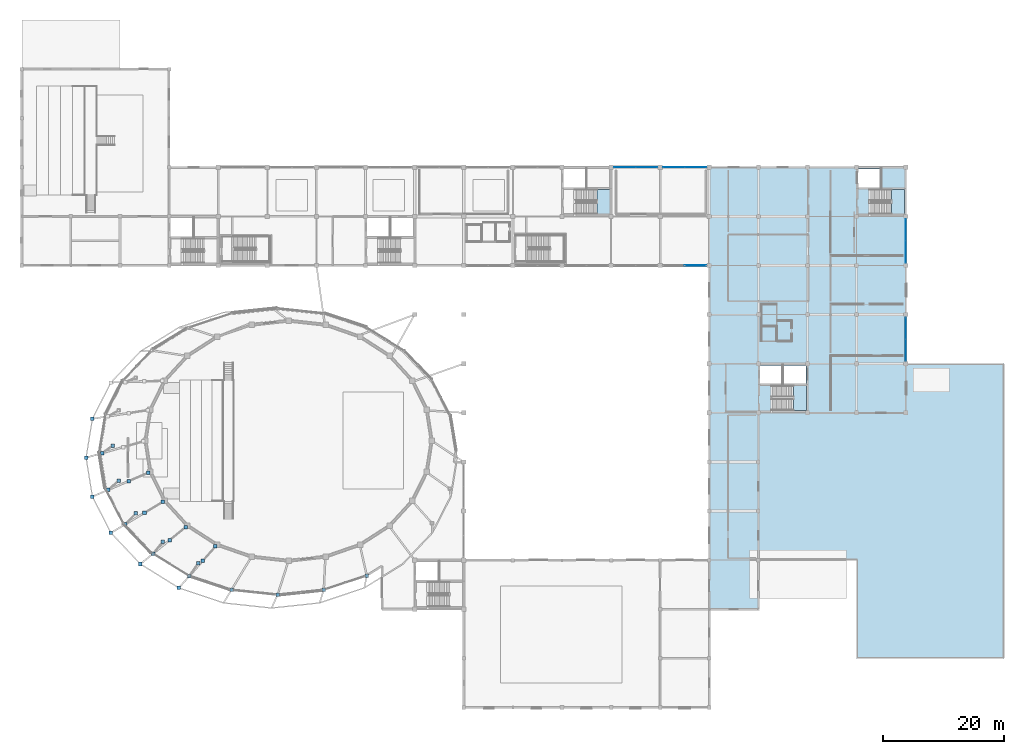
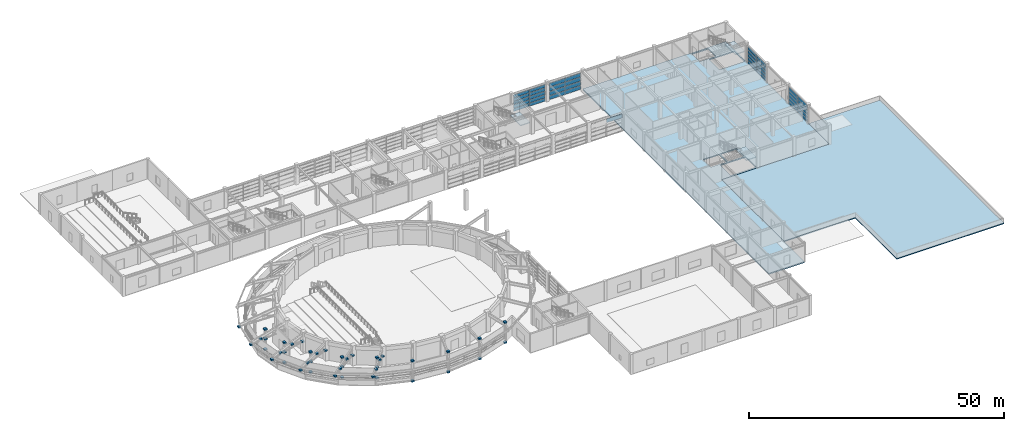
# One storey, part 35 of 56: 81 plates, 5 slabs, 8 elements without a shape of their own.
"""IFC4 building model written with IfcOpenShell, lengths in metres."""

from ifc_helpers import new_model, si_unit, direction, frame, origin, origin_2d, place, context, subcontext, project, spatial, polyline, rectangle, outline, extrude, material, layer, layer_set, type_object, element, aggregate, save


model = new_model("IFC4")

# Units and contexts
model_context = context("Model", 3, precision=1e-05, world=origin(), true_north=direction((0.0, 1.0)))
body_context = subcontext(model_context, "Body", "Model", "MODEL_VIEW")
ifc_project = project(units=[si_unit("LENGTHUNIT", "METRE"), si_unit("AREAUNIT", "SQUARE_METRE"), si_unit("VOLUMEUNIT", "CUBIC_METRE"), si_unit("PLANEANGLEUNIT", "RADIAN"), si_unit("MASSUNIT", "GRAM", prefix="KILO")], contexts=[model_context])

# Site, building, storey
site_placement = place(None, origin())
site = spatial("IfcSite", under=ifc_project, at=site_placement, CompositionType="ELEMENT")
building_placement = place(site_placement, origin())
building = spatial("IfcBuilding", under=site, at=building_placement, Name="Parian Resonance Hall", CompositionType="ELEMENT")
storey_placement = place(building_placement, frame((0.0, 0.0, 5.39990234375)))
storey = spatial("IfcBuildingStorey", under=building, at=storey_placement, Name="L01", CompositionType="ELEMENT", Elevation=5.39990234375)

# Curtain wall, plates
ifc_material_1 = material(Name="Bronze-anodised aluminium frame", Category="aluminium")
curtain_wall_type_1 = type_object("IfcCurtainWallType", Name="CW-SYS-02", PredefinedType="NOTDEFINED", material=ifc_material_1)
curtain_wall_1_placement = place(storey_placement, origin())
curtain_wall_1 = element("IfcCurtainWall", 1, at=curtain_wall_1_placement, inside=storey, type_object=curtain_wall_type_1, Name="Curtain wall CW-L01-144", PredefinedType="NOTDEFINED")
ifc_material_2 = material(Name="Acoustic laminated double glazing", Category="glass")
ifc_layer_1 = layer(ifc_material_2, 0.02197265625)
ifc_layer_set_1 = layer_set([ifc_layer_1], Name="Acoustic laminated double glazing")
plate_type_1 = type_object("IfcPlateType", Name="CWP-IGU22", PredefinedType="CURTAIN_PANEL", material=ifc_layer_set_1)
plate_1_placement = place(storey_placement, frame((145.800048828125, 62.541259765625, 0.067138671875), z_axis=(0.0, 0.0, 1.0), x_axis=(0.0, -1.0, 0.0)))
plate_1 = element("IfcPlate", 2, at=plate_1_placement, type_object=plate_type_1, Name="CW-02 panel 1.1", PredefinedType="CURTAIN_PANEL", context=body_context, shape_type="SweptSolid", body=[
    extrude(rectangle(XDim=3.507568359375, YDim=0.02197265625, at=origin_2d()), origin(), (0.0, 0.0, 1.0), 0.72900390625),
])
plate_2_placement = place(storey_placement, frame((145.800048828125, 62.541259765625, 0.87109375), z_axis=(0.0, 0.0, 1.0), x_axis=(0.0, -1.0, 0.0)))
plate_2 = element("IfcPlate", 3, at=plate_2_placement, type_object=plate_type_1, Name="CW-02 panel 1.2", PredefinedType="CURTAIN_PANEL", context=body_context, shape_type="SweptSolid", body=[
    extrude(rectangle(XDim=3.507568359375, YDim=0.02197265625, at=origin_2d()), origin(), (0.0, 0.0, 1.0), 0.75830078125),
])
plate_3_placement = place(storey_placement, frame((145.800048828125, 62.541259765625, 1.704345703125), z_axis=(0.0, 0.0, 1.0), x_axis=(0.0, -1.0, 0.0)))
plate_3 = element("IfcPlate", 4, at=plate_3_placement, type_object=plate_type_1, Name="CW-02 panel 1.3", PredefinedType="CURTAIN_PANEL", context=body_context, shape_type="SweptSolid", body=[
    extrude(rectangle(XDim=3.507568359375, YDim=0.02197265625, at=origin_2d()), origin(), (0.0, 0.0, 1.0), 0.75830078125),
])
plate_4_placement = place(storey_placement, frame((145.800048828125, 62.541259765625, 2.537841796875), z_axis=(0.0, 0.0, 1.0), x_axis=(0.0, -1.0, 0.0)))
plate_4 = element("IfcPlate", 5, at=plate_4_placement, type_object=plate_type_1, Name="CW-02 panel 1.4", PredefinedType="CURTAIN_PANEL", context=body_context, shape_type="SweptSolid", body=[
    extrude(rectangle(XDim=3.507568359375, YDim=0.02197265625, at=origin_2d()), origin(), (0.0, 0.0, 1.0), 0.75830078125),
])
plate_5_placement = place(storey_placement, frame((145.800048828125, 62.541259765625, 3.37109375), z_axis=(0.0, 0.0, 1.0), x_axis=(0.0, -1.0, 0.0)))
plate_5 = element("IfcPlate", 6, at=plate_5_placement, type_object=plate_type_1, Name="CW-02 panel 1.5", PredefinedType="CURTAIN_PANEL", context=body_context, shape_type="SweptSolid", body=[
    extrude(rectangle(XDim=3.507568359375, YDim=0.02197265625, at=origin_2d()), origin(), (0.0, 0.0, 1.0), 0.73095703125),
])
plate_6_placement = place(storey_placement, frame((145.800048828125, 58.958740234375, 0.067138671875), z_axis=(0.0, 0.0, 1.0), x_axis=(0.0, -1.0, 0.0)))
plate_6 = element("IfcPlate", 7, at=plate_6_placement, type_object=plate_type_1, Name="CW-02 panel 2.1", PredefinedType="CURTAIN_PANEL", context=body_context, shape_type="SweptSolid", body=[
    extrude(rectangle(XDim=3.507568359375, YDim=0.02197265625, at=origin_2d()), origin(), (0.0, 0.0, 1.0), 0.72900390625),
])
plate_7_placement = place(storey_placement, frame((145.800048828125, 58.958740234375, 0.87109375), z_axis=(0.0, 0.0, 1.0), x_axis=(0.0, -1.0, 0.0)))
plate_7 = element("IfcPlate", 8, at=plate_7_placement, type_object=plate_type_1, Name="CW-02 panel 2.2", PredefinedType="CURTAIN_PANEL", context=body_context, shape_type="SweptSolid", body=[
    extrude(rectangle(XDim=3.507568359375, YDim=0.02197265625, at=origin_2d()), origin(), (0.0, 0.0, 1.0), 0.75830078125),
])
plate_8_placement = place(storey_placement, frame((145.800048828125, 58.958740234375, 1.704345703125), z_axis=(0.0, 0.0, 1.0), x_axis=(0.0, -1.0, 0.0)))
plate_8 = element("IfcPlate", 9, at=plate_8_placement, type_object=plate_type_1, Name="CW-02 panel 2.3", PredefinedType="CURTAIN_PANEL", context=body_context, shape_type="SweptSolid", body=[
    extrude(rectangle(XDim=3.507568359375, YDim=0.02197265625, at=origin_2d()), origin(), (0.0, 0.0, 1.0), 0.75830078125),
])
plate_9_placement = place(storey_placement, frame((145.800048828125, 58.958740234375, 2.537841796875), z_axis=(0.0, 0.0, 1.0), x_axis=(0.0, -1.0, 0.0)))
plate_9 = element("IfcPlate", 10, at=plate_9_placement, type_object=plate_type_1, Name="CW-02 panel 2.4", PredefinedType="CURTAIN_PANEL", context=body_context, shape_type="SweptSolid", body=[
    extrude(rectangle(XDim=3.507568359375, YDim=0.02197265625, at=origin_2d()), origin(), (0.0, 0.0, 1.0), 0.75830078125),
])
plate_10_placement = place(storey_placement, frame((145.800048828125, 58.958740234375, 3.37109375), z_axis=(0.0, 0.0, 1.0), x_axis=(0.0, -1.0, 0.0)))
plate_10 = element("IfcPlate", 11, at=plate_10_placement, type_object=plate_type_1, Name="CW-02 panel 2.5", PredefinedType="CURTAIN_PANEL", context=body_context, shape_type="SweptSolid", body=[
    extrude(rectangle(XDim=3.507568359375, YDim=0.02197265625, at=origin_2d()), origin(), (0.0, 0.0, 1.0), 0.73095703125),
])
aggregate(curtain_wall_1, [plate_1, plate_2, plate_3, plate_4, plate_5, plate_6, plate_7, plate_8, plate_9, plate_10])

ifc_material_3 = material(Name="Bronze-anodised aluminium frame", Category="aluminium")
curtain_wall_type_2 = type_object("IfcCurtainWallType", Name="CW-SYS-04", PredefinedType="NOTDEFINED", material=ifc_material_3)
curtain_wall_2_placement = place(storey_placement, origin())
curtain_wall_2 = element("IfcCurtainWall", 12, at=curtain_wall_2_placement, inside=storey, type_object=curtain_wall_type_2, Name="Curtain wall CW-L01-145", PredefinedType="NOTDEFINED")
ifc_material_4 = material(Name="Acoustic laminated double glazing", Category="glass")
ifc_layer_2 = layer(ifc_material_4, 0.031982421875)
ifc_layer_set_2 = layer_set([ifc_layer_2], Name="Acoustic laminated double glazing")
plate_type_2 = type_object("IfcPlateType", Name="CWP-IGU32", PredefinedType="CURTAIN_PANEL", material=ifc_layer_set_2)
plate_11_placement = place(storey_placement, frame((145.800048828125, 78.74365234375, 0.05712890625), z_axis=(0.0, 0.0, 1.0), x_axis=(0.0, -1.0, 0.0)))
plate_11 = element("IfcPlate", 13, at=plate_11_placement, type_object=plate_type_2, Name="CW-04 panel 1.1", PredefinedType="CURTAIN_PANEL", context=body_context, shape_type="SweptSolid", body=[
    extrude(rectangle(XDim=3.5224609375, YDim=0.031982421875, at=origin_2d()), origin(), (0.0, 0.0, 1.0), 0.743896484375),
])
plate_12_placement = place(storey_placement, frame((145.800048828125, 78.74365234375, 0.8662109375), z_axis=(0.0, 0.0, 1.0), x_axis=(0.0, -1.0, 0.0)))
plate_12 = element("IfcPlate", 14, at=plate_12_placement, type_object=plate_type_2, Name="CW-04 panel 1.2", PredefinedType="CURTAIN_PANEL", context=body_context, shape_type="SweptSolid", body=[
    extrude(rectangle(XDim=3.5224609375, YDim=0.031982421875, at=origin_2d()), origin(), (0.0, 0.0, 1.0), 0.768310546875),
])
plate_13_placement = place(storey_placement, frame((145.800048828125, 78.74365234375, 1.69921875), z_axis=(0.0, 0.0, 1.0), x_axis=(0.0, -1.0, 0.0)))
plate_13 = element("IfcPlate", 15, at=plate_13_placement, type_object=plate_type_2, Name="CW-04 panel 1.3", PredefinedType="CURTAIN_PANEL", context=body_context, shape_type="SweptSolid", body=[
    extrude(rectangle(XDim=3.5224609375, YDim=0.031982421875, at=origin_2d()), origin(), (0.0, 0.0, 1.0), 0.768310546875),
])
plate_14_placement = place(storey_placement, frame((145.800048828125, 78.74365234375, 2.53271484375), z_axis=(0.0, 0.0, 1.0), x_axis=(0.0, -1.0, 0.0)))
plate_14 = element("IfcPlate", 16, at=plate_14_placement, type_object=plate_type_2, Name="CW-04 panel 1.4", PredefinedType="CURTAIN_PANEL", context=body_context, shape_type="SweptSolid", body=[
    extrude(rectangle(XDim=3.5224609375, YDim=0.031982421875, at=origin_2d()), origin(), (0.0, 0.0, 1.0), 0.768310546875),
])
plate_15_placement = place(storey_placement, frame((145.800048828125, 78.74365234375, 3.3662109375), z_axis=(0.0, 0.0, 1.0), x_axis=(0.0, -1.0, 0.0)))
plate_15 = element("IfcPlate", 17, at=plate_15_placement, type_object=plate_type_2, Name="CW-04 panel 1.5", PredefinedType="CURTAIN_PANEL", context=body_context, shape_type="SweptSolid", body=[
    extrude(rectangle(XDim=3.5224609375, YDim=0.031982421875, at=origin_2d()), origin(), (0.0, 0.0, 1.0), 0.745849609375),
])
plate_16_placement = place(storey_placement, frame((145.800048828125, 75.15625, 0.05712890625), z_axis=(0.0, 0.0, 1.0), x_axis=(0.0, -1.0, 0.0)))
plate_16 = element("IfcPlate", 18, at=plate_16_placement, type_object=plate_type_2, Name="CW-04 panel 2.1", PredefinedType="CURTAIN_PANEL", context=body_context, shape_type="SweptSolid", body=[
    extrude(rectangle(XDim=3.5224609375, YDim=0.031982421875, at=origin_2d()), origin(), (0.0, 0.0, 1.0), 0.743896484375),
])
plate_17_placement = place(storey_placement, frame((145.800048828125, 75.15625, 0.8662109375), z_axis=(0.0, 0.0, 1.0), x_axis=(0.0, -1.0, 0.0)))
plate_17 = element("IfcPlate", 19, at=plate_17_placement, type_object=plate_type_2, Name="CW-04 panel 2.2", PredefinedType="CURTAIN_PANEL", context=body_context, shape_type="SweptSolid", body=[
    extrude(rectangle(XDim=3.5224609375, YDim=0.031982421875, at=origin_2d()), origin(), (0.0, 0.0, 1.0), 0.768310546875),
])
plate_18_placement = place(storey_placement, frame((145.800048828125, 75.15625, 1.69921875), z_axis=(0.0, 0.0, 1.0), x_axis=(0.0, -1.0, 0.0)))
plate_18 = element("IfcPlate", 20, at=plate_18_placement, type_object=plate_type_2, Name="CW-04 panel 2.3", PredefinedType="CURTAIN_PANEL", context=body_context, shape_type="SweptSolid", body=[
    extrude(rectangle(XDim=3.5224609375, YDim=0.031982421875, at=origin_2d()), origin(), (0.0, 0.0, 1.0), 0.768310546875),
])
plate_19_placement = place(storey_placement, frame((145.800048828125, 75.15625, 2.53271484375), z_axis=(0.0, 0.0, 1.0), x_axis=(0.0, -1.0, 0.0)))
plate_19 = element("IfcPlate", 21, at=plate_19_placement, type_object=plate_type_2, Name="CW-04 panel 2.4", PredefinedType="CURTAIN_PANEL", context=body_context, shape_type="SweptSolid", body=[
    extrude(rectangle(XDim=3.5224609375, YDim=0.031982421875, at=origin_2d()), origin(), (0.0, 0.0, 1.0), 0.768310546875),
])
plate_20_placement = place(storey_placement, frame((145.800048828125, 75.15625, 3.3662109375), z_axis=(0.0, 0.0, 1.0), x_axis=(0.0, -1.0, 0.0)))
plate_20 = element("IfcPlate", 22, at=plate_20_placement, type_object=plate_type_2, Name="CW-04 panel 2.5", PredefinedType="CURTAIN_PANEL", context=body_context, shape_type="SweptSolid", body=[
    extrude(rectangle(XDim=3.5224609375, YDim=0.031982421875, at=origin_2d()), origin(), (0.0, 0.0, 1.0), 0.745849609375),
])
aggregate(curtain_wall_2, [plate_11, plate_12, plate_13, plate_14, plate_15, plate_16, plate_17, plate_18, plate_19, plate_20])

curtain_wall_3_placement = place(storey_placement, origin())
curtain_wall_3 = element("IfcCurtainWall", 23, at=curtain_wall_3_placement, inside=storey, type_object=curtain_wall_type_1, Name="Curtain wall CW-L01-101", PredefinedType="NOTDEFINED")
ifc_material_5 = material(Name="Acoustic laminated double glazing", Category="glass")
ifc_layer_3 = layer(ifc_material_5, 0.0419921875)
ifc_layer_set_3 = layer_set([ifc_layer_3], Name="Acoustic laminated double glazing")
plate_type_3 = type_object("IfcPlateType", Name="CWP-IGU42", PredefinedType="CURTAIN_PANEL", material=ifc_layer_set_3)
plate_21_placement = place(storey_placement, frame((99.456298828125, 89.10009765625, 0.05712890625), z_axis=(0.0, 0.0, 1.0), x_axis=(1.0, 0.0, 0.0)))
plate_21 = element("IfcPlate", 24, at=plate_21_placement, type_object=plate_type_3, Name="CW-02 panel 1.1", PredefinedType="CURTAIN_PANEL", context=body_context, shape_type="SweptSolid", body=[
    extrude(rectangle(XDim=3.5224609375, YDim=0.0419921875, at=origin_2d()), origin(), (0.0, 0.0, 1.0), 0.73779296875),
])
plate_22_placement = place(storey_placement, frame((99.456298828125, 89.10009765625, 0.85986328125), z_axis=(0.0, 0.0, 1.0), x_axis=(1.0, 0.0, 0.0)))
plate_22 = element("IfcPlate", 25, at=plate_22_placement, type_object=plate_type_3, Name="CW-02 panel 1.2", PredefinedType="CURTAIN_PANEL", context=body_context, shape_type="SweptSolid", body=[
    extrude(rectangle(XDim=3.5224609375, YDim=0.0419921875, at=origin_2d()), origin(), (0.0, 0.0, 1.0), 0.762451171875),
])
plate_23_placement = place(storey_placement, frame((99.456298828125, 89.10009765625, 1.6875), z_axis=(0.0, 0.0, 1.0), x_axis=(1.0, 0.0, 0.0)))
plate_23 = element("IfcPlate", 26, at=plate_23_placement, type_object=plate_type_3, Name="CW-02 panel 1.3", PredefinedType="CURTAIN_PANEL", context=body_context, shape_type="SweptSolid", body=[
    extrude(rectangle(XDim=3.5224609375, YDim=0.0419921875, at=origin_2d()), origin(), (0.0, 0.0, 1.0), 0.762451171875),
])
plate_24_placement = place(storey_placement, frame((99.456298828125, 89.10009765625, 2.5146484375), z_axis=(0.0, 0.0, 1.0), x_axis=(1.0, 0.0, 0.0)))
plate_24 = element("IfcPlate", 27, at=plate_24_placement, type_object=plate_type_3, Name="CW-02 panel 1.4", PredefinedType="CURTAIN_PANEL", context=body_context, shape_type="SweptSolid", body=[
    extrude(rectangle(XDim=3.5224609375, YDim=0.0419921875, at=origin_2d()), origin(), (0.0, 0.0, 1.0), 0.762451171875),
])
plate_25_placement = place(storey_placement, frame((99.456298828125, 89.10009765625, 3.34228515625), z_axis=(0.0, 0.0, 1.0), x_axis=(1.0, 0.0, 0.0)))
plate_25 = element("IfcPlate", 28, at=plate_25_placement, type_object=plate_type_3, Name="CW-02 panel 1.5", PredefinedType="CURTAIN_PANEL", context=body_context, shape_type="SweptSolid", body=[
    extrude(rectangle(XDim=3.5224609375, YDim=0.0419921875, at=origin_2d()), origin(), (0.0, 0.0, 1.0), 0.739990234375),
])
plate_26_placement = place(storey_placement, frame((103.043701171875, 89.10009765625, 0.05712890625), z_axis=(0.0, 0.0, 1.0), x_axis=(1.0, 0.0, 0.0)))
plate_26 = element("IfcPlate", 29, at=plate_26_placement, type_object=plate_type_3, Name="CW-02 panel 2.1", PredefinedType="CURTAIN_PANEL", context=body_context, shape_type="SweptSolid", body=[
    extrude(rectangle(XDim=3.5224609375, YDim=0.0419921875, at=origin_2d()), origin(), (0.0, 0.0, 1.0), 0.73779296875),
])
plate_27_placement = place(storey_placement, frame((103.043701171875, 89.10009765625, 0.85986328125), z_axis=(0.0, 0.0, 1.0), x_axis=(1.0, 0.0, 0.0)))
plate_27 = element("IfcPlate", 30, at=plate_27_placement, type_object=plate_type_3, Name="CW-02 panel 2.2", PredefinedType="CURTAIN_PANEL", context=body_context, shape_type="SweptSolid", body=[
    extrude(rectangle(XDim=3.5224609375, YDim=0.0419921875, at=origin_2d()), origin(), (0.0, 0.0, 1.0), 0.762451171875),
])
plate_28_placement = place(storey_placement, frame((103.043701171875, 89.10009765625, 1.6875), z_axis=(0.0, 0.0, 1.0), x_axis=(1.0, 0.0, 0.0)))
plate_28 = element("IfcPlate", 31, at=plate_28_placement, type_object=plate_type_3, Name="CW-02 panel 2.3", PredefinedType="CURTAIN_PANEL", context=body_context, shape_type="SweptSolid", body=[
    extrude(rectangle(XDim=3.5224609375, YDim=0.0419921875, at=origin_2d()), origin(), (0.0, 0.0, 1.0), 0.762451171875),
])
plate_29_placement = place(storey_placement, frame((103.043701171875, 89.10009765625, 2.5146484375), z_axis=(0.0, 0.0, 1.0), x_axis=(1.0, 0.0, 0.0)))
plate_29 = element("IfcPlate", 32, at=plate_29_placement, type_object=plate_type_3, Name="CW-02 panel 2.4", PredefinedType="CURTAIN_PANEL", context=body_context, shape_type="SweptSolid", body=[
    extrude(rectangle(XDim=3.5224609375, YDim=0.0419921875, at=origin_2d()), origin(), (0.0, 0.0, 1.0), 0.762451171875),
])
plate_30_placement = place(storey_placement, frame((103.043701171875, 89.10009765625, 3.34228515625), z_axis=(0.0, 0.0, 1.0), x_axis=(1.0, 0.0, 0.0)))
plate_30 = element("IfcPlate", 33, at=plate_30_placement, type_object=plate_type_3, Name="CW-02 panel 2.5", PredefinedType="CURTAIN_PANEL", context=body_context, shape_type="SweptSolid", body=[
    extrude(rectangle(XDim=3.5224609375, YDim=0.0419921875, at=origin_2d()), origin(), (0.0, 0.0, 1.0), 0.739990234375),
])
aggregate(curtain_wall_3, [plate_21, plate_22, plate_23, plate_24, plate_25, plate_26, plate_27, plate_28, plate_29, plate_30])

ifc_material_6 = material(Name="Bronze-anodised aluminium frame", Category="aluminium")
curtain_wall_type_3 = type_object("IfcCurtainWallType", Name="CW-SYS-03", PredefinedType="NOTDEFINED", material=ifc_material_6)
curtain_wall_4_placement = place(storey_placement, origin())
curtain_wall_4 = element("IfcCurtainWall", 34, at=curtain_wall_4_placement, inside=storey, type_object=curtain_wall_type_3, Name="Curtain wall CW-L01-104", PredefinedType="NOTDEFINED")
plate_31_placement = place(storey_placement, frame((107.558837890625, 89.10009765625, 0.06689453125), z_axis=(0.0, 0.0, 1.0), x_axis=(1.0, 0.0, 0.0)))
plate_31 = element("IfcPlate", 35, at=plate_31_placement, type_object=plate_type_3, Name="CW-03 panel 1.1", PredefinedType="CURTAIN_PANEL", context=body_context, shape_type="SweptSolid", body=[
    extrude(rectangle(XDim=3.507568359375, YDim=0.0419921875, at=origin_2d()), origin(), (0.0, 0.0, 1.0), 0.916748046875),
])
plate_32_placement = place(storey_placement, frame((107.558837890625, 89.10009765625, 1.058837890625), z_axis=(0.0, 0.0, 1.0), x_axis=(1.0, 0.0, 0.0)))
plate_32 = element("IfcPlate", 36, at=plate_32_placement, type_object=plate_type_3, Name="CW-03 panel 1.2", PredefinedType="CURTAIN_PANEL", context=body_context, shape_type="SweptSolid", body=[
    extrude(rectangle(XDim=3.507568359375, YDim=0.0419921875, at=origin_2d()), origin(), (0.0, 0.0, 1.0), 0.9462890625),
])
plate_33_placement = place(storey_placement, frame((107.558837890625, 89.10009765625, 2.080078125), z_axis=(0.0, 0.0, 1.0), x_axis=(1.0, 0.0, 0.0)))
plate_33 = element("IfcPlate", 37, at=plate_33_placement, type_object=plate_type_3, Name="CW-03 panel 1.3", PredefinedType="CURTAIN_PANEL", context=body_context, shape_type="SweptSolid", body=[
    extrude(rectangle(XDim=3.507568359375, YDim=0.0419921875, at=origin_2d()), origin(), (0.0, 0.0, 1.0), 0.9462890625),
])
plate_34_placement = place(storey_placement, frame((107.558837890625, 89.10009765625, 3.1015625), z_axis=(0.0, 0.0, 1.0), x_axis=(1.0, 0.0, 0.0)))
plate_34 = element("IfcPlate", 38, at=plate_34_placement, type_object=plate_type_3, Name="CW-03 panel 1.4", PredefinedType="CURTAIN_PANEL", context=body_context, shape_type="SweptSolid", body=[
    extrude(rectangle(XDim=3.507568359375, YDim=0.0419921875, at=origin_2d()), origin(), (0.0, 0.0, 1.0), 0.918701171875),
])
plate_35_placement = place(storey_placement, frame((111.141357421875, 89.10009765625, 0.06689453125), z_axis=(0.0, 0.0, 1.0), x_axis=(1.0, 0.0, 0.0)))
plate_35 = element("IfcPlate", 39, at=plate_35_placement, type_object=plate_type_3, Name="CW-03 panel 2.1", PredefinedType="CURTAIN_PANEL", context=body_context, shape_type="SweptSolid", body=[
    extrude(rectangle(XDim=3.507568359375, YDim=0.0419921875, at=origin_2d()), origin(), (0.0, 0.0, 1.0), 0.916748046875),
])
plate_36_placement = place(storey_placement, frame((111.141357421875, 89.10009765625, 1.058837890625), z_axis=(0.0, 0.0, 1.0), x_axis=(1.0, 0.0, 0.0)))
plate_36 = element("IfcPlate", 40, at=plate_36_placement, type_object=plate_type_3, Name="CW-03 panel 2.2", PredefinedType="CURTAIN_PANEL", context=body_context, shape_type="SweptSolid", body=[
    extrude(rectangle(XDim=3.507568359375, YDim=0.0419921875, at=origin_2d()), origin(), (0.0, 0.0, 1.0), 0.9462890625),
])
plate_37_placement = place(storey_placement, frame((111.141357421875, 89.10009765625, 2.080078125), z_axis=(0.0, 0.0, 1.0), x_axis=(1.0, 0.0, 0.0)))
plate_37 = element("IfcPlate", 41, at=plate_37_placement, type_object=plate_type_3, Name="CW-03 panel 2.3", PredefinedType="CURTAIN_PANEL", context=body_context, shape_type="SweptSolid", body=[
    extrude(rectangle(XDim=3.507568359375, YDim=0.0419921875, at=origin_2d()), origin(), (0.0, 0.0, 1.0), 0.9462890625),
])
plate_38_placement = place(storey_placement, frame((111.141357421875, 89.10009765625, 3.1015625), z_axis=(0.0, 0.0, 1.0), x_axis=(1.0, 0.0, 0.0)))
plate_38 = element("IfcPlate", 42, at=plate_38_placement, type_object=plate_type_3, Name="CW-03 panel 2.4", PredefinedType="CURTAIN_PANEL", context=body_context, shape_type="SweptSolid", body=[
    extrude(rectangle(XDim=3.507568359375, YDim=0.0419921875, at=origin_2d()), origin(), (0.0, 0.0, 1.0), 0.918701171875),
])
aggregate(curtain_wall_4, [plate_31, plate_32, plate_33, plate_34, plate_35, plate_36, plate_37, plate_38])

# Curtain wall, plate
curtain_wall_5_placement = place(storey_placement, origin())
curtain_wall_5 = element("IfcCurtainWall", 43, at=curtain_wall_5_placement, inside=storey, type_object=curtain_wall_type_2, Name="Curtain wall CW-L01-128", PredefinedType="NOTDEFINED")
plate_39_placement = place(storey_placement, frame((111.141357421875, 72.89990234375, 3.1015625), z_axis=(0.0, 0.0, 1.0), x_axis=(-1.0, 0.0, 0.0)))
plate_39 = element("IfcPlate", 44, at=plate_39_placement, type_object=plate_type_3, Name="CW-04 panel 1.4", PredefinedType="CURTAIN_PANEL", context=body_context, shape_type="SweptSolid", body=[
    extrude(rectangle(XDim=3.507568359375, YDim=0.0419921875, at=origin_2d()), origin(), (0.0, 0.0, 1.0), 0.918701171875),
])
aggregate(curtain_wall_5, [plate_39])

# Plates
ifc_material_7 = material(Name="Steel S355", Category="steel")
ifc_layer_4 = layer(ifc_material_7, 0.340087890625)
ifc_layer_set_4 = layer_set([ifc_layer_4], Name="Steel S355")
plate_type_4 = type_object("IfcPlateType", Name="PLT-CAP-500", PredefinedType="SHEET", material=ifc_layer_set_4)
for number, where, z_axis, x_axis, name in (
    (45, (10.60009765625, 41.199951171875, 3.68701171875), (0.0, 0.0, 1.0), (1.0, 0.0, 0.0), "Steel hollow-section node closure block 0010"),
    (46, (11.64306640625, 47.618896484375, 3.68701171875), (0.0, 0.0, 1.0), (1.0, 0.0, 0.0), "Steel hollow-section node closure block 0012"),
    (47, (13.236083984375, 41.952880859375, 3.68701171875), (0.0, 0.0, 1.0), (1.0, 0.0, 0.0), "Steel hollow-section node closure block 0022"),
    (48, (14.217041015625, 35.884033203125, 3.68701171875), (0.0, 0.0, 1.0), (1.0, 0.0, 0.0), "Steel hollow-section node closure block 0024"),
    (49, (14.699951171875, 28.800048828125, 3.68701171875), (0.0, 0.0, 1.0), (1.0, 0.0, 0.0), "Steel hollow-section node closure block 0025"),
    (50, (15.0, 43.199951171875, -0.169921875), (0.0, 0.0, 1.0), (1.0, 0.0, 0.0), "Steel hollow-section node closure block 0027"),
    (51, (15.0, 43.199951171875, 2.3369140625), (0.0, 0.0, 1.0), (1.0, 0.0, 0.0), "Steel hollow-section node closure block 0028"),
    (52, (15.9609375, 37.403076171875, -0.169921875), (0.0, 0.0, 1.0), (1.0, 0.0, 0.0), "Steel hollow-section node closure block 0036"),
    (53, (15.9609375, 37.403076171875, 2.3369140625), (0.0, 0.0, 1.0), (1.0, 0.0, 0.0), "Steel hollow-section node closure block 0037"),
    (54, (17.0849609375, 30.22705078125, 3.68701171875), (0.0, 0.0, 1.0), (1.0, 0.0, 0.0), "Steel hollow-section node closure block 0051"),
    (55, (18.778076171875, 32.0, -0.169921875), (0.0, 0.0, 1.0), (1.0, 0.0, 0.0), "Steel hollow-section node closure block 0055"),
    (56, (18.778076171875, 32.0, 4.6298828125), (0.0, 0.0, 1.0), (1.0, 0.0, 0.0), "Steel hollow-section node closure block 0057"),
    (57, (20.237060546875, 32.112060546875, 3.68701171875), (0.0, 0.0, 1.0), (1.0, 0.0, 0.0), "Steel hollow-section node closure block 0073"),
    (58, (21.64599609375, 25.366943359375, 3.68701171875), (0.0, 0.0, 1.0), (1.0, 0.0, 0.0), "Steel hollow-section node closure block 0082"),
    (59, (23.218994140625, 33.89501953125, 2.3369140625), (0.0, 0.0, 1.0), (1.0, 0.0, 0.0), "Steel hollow-section node closure block 0085"),
    (60, (23.260009765625, 27.361083984375, -0.169921875), (0.0, 0.0, 1.0), (1.0, 0.0, 0.0), "Steel hollow-section node closure block 0087"),
    (61, (23.260009765625, 27.361083984375, 2.3369140625), (0.0, 0.0, 1.0), (1.0, 0.0, 0.0), "Steel hollow-section node closure block 0088"),
    (62, (24.39892578125, 27.616943359375, 3.68701171875), (0.0, 0.0, 1.0), (1.0, 0.0, 0.0), "Steel hollow-section node closure block 0099"),
    (63, (27.0029296875, 29.74609375, 2.3369140625), (0.0, 0.0, 1.0), (1.0, 0.0, 0.0), "Steel hollow-section node closure block 0105"),
    (64, (29.10009765625, 23.801025390625, 2.3369140625), (0.0, 0.0, 1.0), (1.0, 0.0, 0.0), "Steel hollow-section node closure block 0117"),
    (65, (29.10009765625, 23.801025390625, 4.6298828125), (0.0, 0.0, 1.0), (1.0, 0.0, 0.0), "Steel hollow-section node closure block 0118"),
    (66, (29.822998046875, 24.162109375, 3.68701171875), (0.0, 0.0, 1.0), (1.0, 0.0, 0.0), "Steel hollow-section node closure block 0124"),
    (67, (31.93505859375, 26.552978515625, 2.3369140625), (0.0, 0.0, 1.0), (1.0, 0.0, 0.0), "Steel hollow-section node closure block 0129"),
    (68, (34.591064453125, 19.404052734375, 4.6298828125), (0.0, 0.0, 1.0), (1.0, 0.0, 0.0), "Steel hollow-section node closure block 0144"),
    (69, (42.199951171875, 18.60009765625, 4.6298828125), (0.0, 0.0, 1.0), (1.0, 0.0, 0.0), "Steel hollow-section node closure block 0183"),
    (70, (49.80908203125, 19.404052734375, -0.169921875), (0.0, 0.0, 1.0), (1.0, 0.0, 0.0), "Steel hollow-section node closure block 0229"),
    (71, (56.89990234375, 21.761962890625, -0.169921875), (0.0, 0.0, 1.0), (1.0, 0.0, 0.0), "Steel hollow-section node closure block 0253"),
):
    element("IfcPlate", number, at=place(storey_placement, frame(where, z_axis=z_axis, x_axis=x_axis)), inside=storey, type_object=plate_type_4, Name=name, PredefinedType="SHEET", context=body_context, shape_type="SweptSolid", body=[
        extrude(rectangle(XDim=0.580078125, YDim=0.580078125, at=origin_2d()), origin(), (0.0, 0.0, 1.0), 0.340087890625),
    ])
ifc_material_8 = material(Name="Steel S355", Category="steel")
ifc_layer_5 = layer(ifc_material_8, 0.360107421875)
ifc_layer_set_5 = layer_set([ifc_layer_5], Name="Steel S355")
plate_type_5 = type_object("IfcPlateType", Name="PLT-GUS-520", PredefinedType="USERDEFINED", material=ifc_layer_set_5)
for number, where, z_axis, x_axis, name in (
    (72, (11.64306640625, 34.781005859375, 3.67724609375), (0.0, 0.0, 1.0), (1.0, 0.0, 0.0), "Steel hollow-section node closure block 0011"),
    (73, (15.0, 43.199951171875, 4.6201171875), (0.0, 0.0, 1.0), (1.0, 0.0, 0.0), "Steel hollow-section node closure block 0029"),
    (74, (15.9609375, 37.403076171875, 4.6201171875), (0.0, 0.0, 1.0), (1.0, 0.0, 0.0), "Steel hollow-section node closure block 0038"),
    (75, (17.618896484375, 37.340087890625, 3.67724609375), (0.0, 0.0, 1.0), (1.0, 0.0, 0.0), "Steel hollow-section node closure block 0053"),
    (76, (18.778076171875, 32.0, 2.3271484375), (0.0, 0.0, 1.0), (1.0, 0.0, 0.0), "Steel hollow-section node closure block 0056"),
    (77, (19.56201171875, 23.6640625, 3.67724609375), (0.0, 0.0, 1.0), (1.0, 0.0, 0.0), "Steel hollow-section node closure block 0065"),
    (78, (20.8359375, 38.718017578125, 2.3271484375), (0.0, 0.0, 1.0), (1.0, 0.0, 0.0), "Steel hollow-section node closure block 0077"),
    (79, (23.260009765625, 27.361083984375, 4.6201171875), (0.0, 0.0, 1.0), (1.0, 0.0, 0.0), "Steel hollow-section node closure block 0089"),
    (80, (25.89990234375, 19.722900390625, 3.67724609375), (0.0, 0.0, 1.0), (1.0, 0.0, 0.0), "Steel hollow-section node closure block 0101"),
    (81, (27.590087890625, 21.635009765625, 3.67724609375), (0.0, 0.0, 1.0), (1.0, 0.0, 0.0), "Steel hollow-section node closure block 0110"),
    (82, (29.10009765625, 23.801025390625, -0.18017578125), (0.0, 0.0, 1.0), (1.0, 0.0, 0.0), "Steel hollow-section node closure block 0116"),
    (83, (34.591064453125, 19.404052734375, -0.18017578125), (0.0, 0.0, 1.0), (1.0, 0.0, 0.0), "Steel hollow-section node closure block 0143"),
    (84, (42.199951171875, 18.60009765625, -0.18017578125), (0.0, 0.0, 1.0), (1.0, 0.0, 0.0), "Steel hollow-section node closure block 0182"),
    (85, (49.80908203125, 19.404052734375, 4.6201171875), (0.0, 0.0, 1.0), (1.0, 0.0, 0.0), "Steel hollow-section node closure block 0230"),
    (86, (56.89990234375, 21.761962890625, 4.6201171875), (0.0, 0.0, 1.0), (1.0, 0.0, 0.0), "Steel hollow-section node closure block 0254"),
):
    element("IfcPlate", number, at=place(storey_placement, frame(where, z_axis=z_axis, x_axis=x_axis)), inside=storey, type_object=plate_type_5, Name=name, ObjectType="GUSSET PLATE", PredefinedType="USERDEFINED", context=body_context, shape_type="SweptSolid", body=[
        extrude(rectangle(XDim=0.580078125, YDim=0.580078125, at=origin_2d()), origin(), (0.0, 0.0, 1.0), 0.360107421875),
    ])

# Slab
ifc_material_9 = material(Name="Concrete C35/45", Category="concrete")
ifc_layer_6 = layer(ifc_material_9, 0.27001953125)
ifc_layer_set_6 = layer_set([ifc_layer_6], Name="Concrete C35/45")
slab_type_1 = type_object("IfcSlabType", Name="SLB-FLR-270", PredefinedType="FLOOR", material=ifc_layer_set_6)
slab_1_placement = place(storey_placement, frame((0.0, 0.0, -0.27001953125)))
element("IfcSlab", 87, at=slab_1_placement, inside=storey, type_object=slab_type_1, Name="Backstage dressing wing and musicians link L01 floor slab", PredefinedType="FLOOR", context=body_context, shape_type="SweptSolid", body=[
    extrude(outline(polyline([(121.5, 16.199951171875), (121.5, 48.60009765625), (145.800048828125, 48.60009765625), (145.800048828125, 89.10009765625), (113.39990234375, 89.10009765625), (113.39990234375, 48.60009765625), (113.39990234375, 16.199951171875), (121.5, 16.199951171875)]), holes=[polyline([(129.4599609375, 53.10009765625), (129.4599609375, 49.0), (123.695068359375, 49.0), (123.695068359375, 53.10009765625), (129.4599609375, 53.10009765625)]), polyline([(125.39990234375, 56.39990234375), (125.39990234375, 53.35009765625), (121.739990234375, 53.35009765625), (121.739990234375, 56.39990234375), (125.39990234375, 56.39990234375)]), polyline([(129.360107421875, 56.39990234375), (129.360107421875, 53.35009765625), (125.699951171875, 53.35009765625), (125.699951171875, 56.39990234375), (129.360107421875, 56.39990234375)]), polyline([(145.6201171875, 81.39990234375), (139.875, 81.39990234375), (139.875, 85.4599609375), (145.6201171875, 85.4599609375), (145.6201171875, 81.39990234375)]), polyline([(141.60009765625, 85.75), (137.93994140625, 85.75), (137.93994140625, 88.800048828125), (141.60009765625, 88.800048828125), (141.60009765625, 85.75)])]), origin(), (0.0, 0.0, 1.0), 0.27001953125),
])

# Stair, slab
ifc_material_10 = material(Name="Concrete C40/50", Category="concrete")
stair_type_1 = type_object("IfcStairType", Name="STAIR-CORE-1850", PredefinedType="HALF_TURN_STAIR", material=ifc_material_10)
stair_1_placement = place(storey_placement, origin())
stair_1 = element("IfcStair", 88, at=stair_1_placement, inside=storey, type_object=stair_type_1, Name="L01 ST-02", PredefinedType="HALF_TURN_STAIR")
ifc_material_11 = material(Name="Concrete C40/50", Category="concrete")
ifc_layer_7 = layer(ifc_material_11, 0.199951171875)
ifc_layer_set_7 = layer_set([ifc_layer_7], Name="Concrete C40/50")
slab_type_2 = type_object("IfcSlabType", Name="SLB-LANDING-200", PredefinedType="LANDING", material=ifc_layer_set_7)
slab_2_placement = place(storey_placement, frame((0.0, 0.0, 2.2001953125)))
slab_2 = element("IfcSlab", 89, at=slab_2_placement, type_object=slab_type_2, Name="ST-02 landing 1", PredefinedType="LANDING", context=body_context, shape_type="SweptSolid", body=[
    extrude(outline(polyline([(127.280029296875, 49.0), (129.4599609375, 49.0), (129.4599609375, 53.10009765625), (127.280029296875, 53.10009765625), (127.280029296875, 49.0)])), origin(), (0.0, 0.0, 1.0), 0.199951171875),
])
aggregate(stair_1, [slab_2])

ifc_material_12 = material(Name="Concrete C40/50", Category="concrete")
stair_type_2 = type_object("IfcStairType", Name="STAIR-CORE-1800", PredefinedType="HALF_TURN_STAIR", material=ifc_material_12)
stair_2_placement = place(storey_placement, origin())
stair_2 = element("IfcStair", 90, at=stair_2_placement, inside=storey, type_object=stair_type_2, Name="L01 ST-05", PredefinedType="HALF_TURN_STAIR")
slab_3_placement = place(storey_placement, frame((0.0, 0.0, 2.2001953125)))
slab_3 = element("IfcSlab", 91, at=slab_3_placement, type_object=slab_type_2, Name="ST-05 landing 1", PredefinedType="LANDING", context=body_context, shape_type="SweptSolid", body=[
    extrude(outline(polyline([(94.860107421875, 81.39990234375), (97.02001953125, 81.39990234375), (97.02001953125, 85.4599609375), (94.860107421875, 85.4599609375), (94.860107421875, 81.39990234375)])), origin(), (0.0, 0.0, 1.0), 0.199951171875),
])
aggregate(stair_2, [slab_3])

stair_3_placement = place(storey_placement, origin())
stair_3 = element("IfcStair", 92, at=stair_3_placement, inside=storey, type_object=stair_type_2, Name="L01 ST-06", PredefinedType="HALF_TURN_STAIR")
slab_4_placement = place(storey_placement, frame((0.0, 0.0, 2.2001953125)))
slab_4 = element("IfcSlab", 93, at=slab_4_placement, type_object=slab_type_2, Name="ST-06 landing 1", PredefinedType="LANDING", context=body_context, shape_type="SweptSolid", body=[
    extrude(outline(polyline([(143.4599609375, 81.39990234375), (145.6201171875, 81.39990234375), (145.6201171875, 85.4599609375), (143.4599609375, 85.4599609375), (143.4599609375, 81.39990234375)])), origin(), (0.0, 0.0, 1.0), 0.199951171875),
])
aggregate(stair_3, [slab_4])

# Slab
ifc_material_13 = material(Name="Concrete C35/45", Category="concrete")
ifc_layer_8 = layer(ifc_material_13, 0.22998046875)
ifc_layer_set_8 = layer_set([ifc_layer_8], Name="Concrete C35/45")
slab_type_3 = type_object("IfcSlabType", Name="SLB-ROOF-200", PredefinedType="ROOF", material=ifc_layer_set_8)
slab_5_placement = place(storey_placement, frame((0.0, 0.0, -0.22998046875)))
element("IfcSlab", 94, at=slab_5_placement, inside=storey, type_object=slab_type_3, Name="South-east loading and ramp canopy roof slab", PredefinedType="ROOF", context=body_context, shape_type="SweptSolid", body=[
    extrude(outline(polyline([(145.800048828125, 56.699951171875), (145.800048828125, 48.60009765625), (137.699951171875, 48.60009765625), (121.5, 48.60009765625), (121.5, 24.300048828125), (137.699951171875, 24.300048828125), (137.699951171875, 8.10009765625), (162.0, 8.10009765625), (162.0, 56.699951171875), (145.800048828125, 56.699951171875)])), origin(), (0.0, 0.0, 1.0), 0.22998046875),
])

save(model, "model.ifc")
